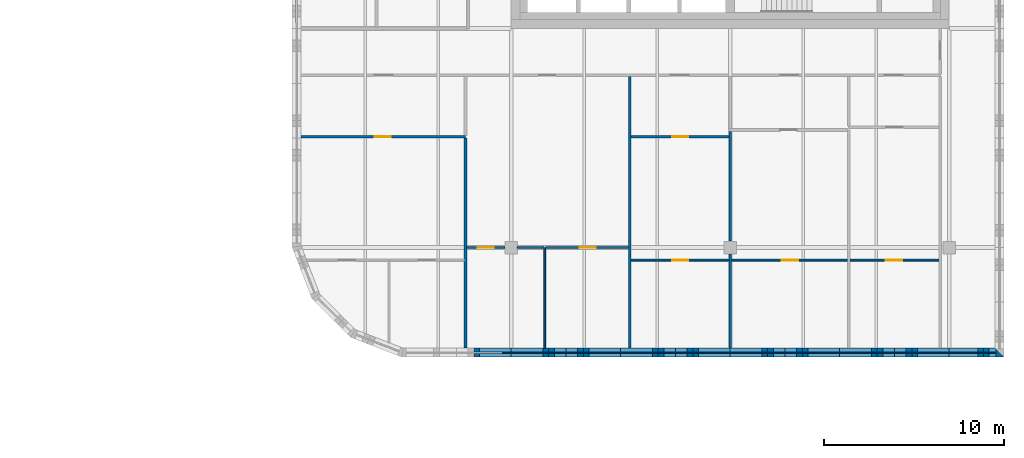
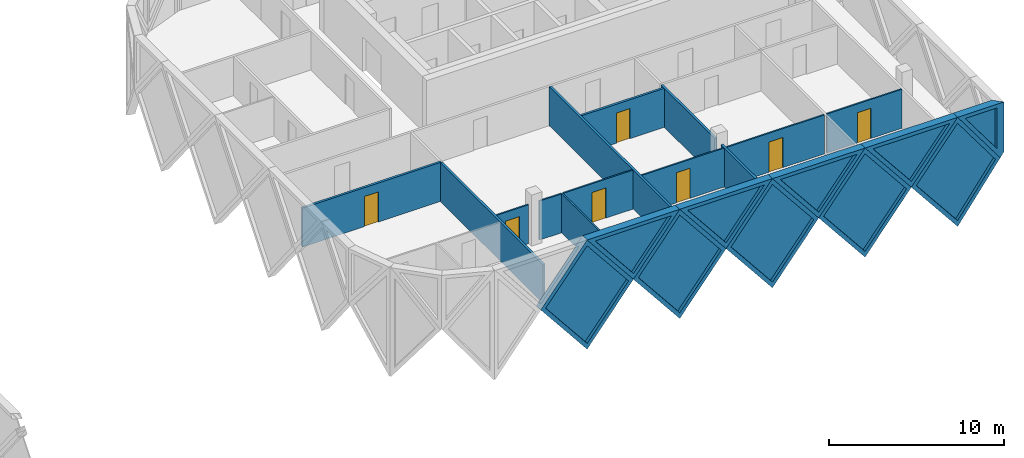
# One storey, part 16 of 24: 23 walls, 10 plates, 7 doors, 17 openings.
"""IFC4 building model written with IfcOpenShell, lengths in metres."""

from ifc_helpers import new_model, si_unit, direction, frame, frame_2d, origin, place, context, subcontext, project, spatial, polyline, rectangle, outline, extrude, faceted_brep, source, transform, mapped, material, layer, layer_set, type_object, element, fill, save


model = new_model("IFC4")

# Units and contexts
model_context = context("Model", 3, precision=1e-05, world=origin(), true_north=direction((0.0, 1.0)))
body_context = subcontext(model_context, "Body", "Model", "MODEL_VIEW")
ifc_project = project(units=[si_unit("LENGTHUNIT", "METRE"), si_unit("AREAUNIT", "SQUARE_METRE"), si_unit("VOLUMEUNIT", "CUBIC_METRE"), si_unit("PLANEANGLEUNIT", "RADIAN"), si_unit("MASSUNIT", "GRAM", prefix="KILO")], contexts=[model_context])

# Site, building, storey
site_placement = place(None, origin())
site = spatial("IfcSite", under=ifc_project, at=site_placement, CompositionType="ELEMENT")
building_placement = place(site_placement, origin())
building = spatial("IfcBuilding", under=site, at=building_placement, Name="Tessera Gate Towers", CompositionType="ELEMENT")
storey_placement = place(building_placement, frame((0.0, 0.0, 102.800048828125)))
storey = spatial("IfcBuildingStorey", under=building, at=storey_placement, Name="L25", CompositionType="ELEMENT", Elevation=102.800048828125)

# Wall
ifc_material_1 = material(Name="Gypsum board on steel studs", Category="steel")
ifc_layer_1 = layer(ifc_material_1, 0.10009765625)
ifc_layer_set_1 = layer_set([ifc_layer_1], Name="PARTITION 100")
wall_type_1 = type_object("IfcWallType", Name="PARTITION 100", PredefinedType="PARTITIONING", material=ifc_layer_set_1)
wall_1_placement = place(storey_placement, frame((99.469970703125, 18.800048828125, 0.0), z_axis=(0.0, 0.0, 1.0), x_axis=(0.0, 1.0, 0.0)))
element("IfcWall", 1, at=wall_1_placement, inside=storey, type_object=wall_type_1, Name="T2-L25-PW-002", PredefinedType="PARTITIONING", context=body_context, shape_type="SweptSolid", body=[
    extrude(rectangle(XDim=5.599853515625, YDim=0.10009765625, at=frame_2d((2.7998046875, 0.0))), origin(), (0.0, 0.0, 1.0), 2.71484375),
])

# Wall, opening, door
wall_2_placement = place(storey_placement, frame((109.72412109375, 23.699951171875, 0.0), z_axis=(0.0, 0.0, 1.0), x_axis=(-1.0, 0.0, 0.0)))
wall_2 = element("IfcWall", 2, at=wall_2_placement, inside=storey, type_object=wall_type_1, Name="T2-L25-PW-010", PredefinedType="PARTITIONING", context=body_context, shape_type="SweptSolid", body=[
    extrude(rectangle(XDim=5.4482421875, YDim=0.10009765625, at=frame_2d((2.72412109375, 0.0))), origin(), (0.0, 0.0, 1.0), 2.71484375),
])
shared_shape_1 = source(origin(), body_context, "Body", "SweptSolid", [
    extrude(rectangle(XDim=0.89990234375, YDim=2.10009765625, at=frame_2d((0.449951171875, 1.050048828125))), frame((0.0, 0.06005859375, 0.0), z_axis=(0.0, -1.0, 0.0), x_axis=(1.0, 0.0, 0.0)), (0.0, 0.0, 1.0), 0.1201171875),
])
opening_1_placement = place(wall_2_placement, frame((2.248046875, 0.0, 0.0)))
opening_1 = element("IfcOpeningElement", 3, at=opening_1_placement, cuts=wall_2, Name="Opening D190-B10-10", PredefinedType="OPENING", context=body_context, shape_type="MappedRepresentation", body=[
    mapped(shared_shape_1, transform((0.0, 0.0, 0.0), scale=1.0)),
])
ifc_material_2 = material(Name="Timber door leaf in steel frame", Category="steel")
door_type = type_object("IfcDoorType", Name="INTERNAL DOOR 900 NOT RATED", OperationType="NOTDEFINED", PredefinedType="DOOR", material=ifc_material_2)
shared_shape_2 = source(origin(), body_context, "Body", "SweptSolid", [
    extrude(rectangle(XDim=0.89990234375, YDim=2.10009765625, at=frame_2d((0.449951171875, 1.050048828125))), frame((0.0, 0.02490234375, 0.0), z_axis=(0.0, -1.0, 0.0), x_axis=(1.0, 0.0, 0.0)), (0.0, 0.0, 1.0), 0.050048828125),
])
door_1_placement = place(opening_1_placement, origin())
door_1 = element("IfcDoor", 4, at=door_1_placement, inside=storey, type_object=door_type, Name="T2-L25-PD-012", OperationType="SINGLE_SWING_RIGHT", OverallHeight=2.10009765625, OverallWidth=0.89990234375, PredefinedType="DOOR", context=body_context, shape_type="MappedRepresentation", body=[
    mapped(shared_shape_2, transform((0.0, 0.0, 0.0), scale=1.0)),
])
fill(opening_1, door_1)

wall_3_placement = place(storey_placement, frame((116.323974609375, 23.699951171875, 0.0), z_axis=(0.0, 0.0, 1.0), x_axis=(-1.0, 0.0, 0.0)))
wall_3 = element("IfcWall", 5, at=wall_3_placement, inside=storey, type_object=wall_type_1, Name="T2-L25-PW-011", PredefinedType="PARTITIONING", context=body_context, shape_type="SweptSolid", body=[
    extrude(rectangle(XDim=6.447998046875, YDim=0.10009765625, at=frame_2d((3.22412109375, 0.0))), origin(), (0.0, 0.0, 1.0), 2.71484375),
])
opening_2_placement = place(wall_3_placement, frame((2.748046875, 0.0, 0.0)))
opening_2 = element("IfcOpeningElement", 6, at=opening_2_placement, cuts=wall_3, Name="Opening D190-B10-11", PredefinedType="OPENING", context=body_context, shape_type="MappedRepresentation", body=[
    mapped(shared_shape_1, transform((0.0, 0.0, 0.0), scale=1.0)),
])
door_2_placement = place(opening_2_placement, origin())
door_2 = element("IfcDoor", 7, at=door_2_placement, inside=storey, type_object=door_type, Name="T2-L25-PD-015", OperationType="SINGLE_SWING_RIGHT", OverallHeight=2.10009765625, OverallWidth=0.89990234375, PredefinedType="DOOR", context=body_context, shape_type="MappedRepresentation", body=[
    mapped(shared_shape_2, transform((0.0, 0.0, 0.0), scale=1.0)),
])
fill(opening_2, door_2)

wall_4_placement = place(storey_placement, frame((121.424072265625, 23.699951171875, 0.0), z_axis=(0.0, 0.0, 1.0), x_axis=(-1.0, 0.0, 0.0)))
wall_4 = element("IfcWall", 8, at=wall_4_placement, inside=storey, type_object=wall_type_1, Name="T2-L25-PW-012", PredefinedType="PARTITIONING", context=body_context, shape_type="SweptSolid", body=[
    extrude(rectangle(XDim=4.947998046875, YDim=0.10009765625, at=frame_2d((2.47412109375, 0.0))), origin(), (0.0, 0.0, 1.0), 2.71484375),
])
opening_3_placement = place(wall_4_placement, frame((2.048095703125, 0.0, 0.0)))
opening_3 = element("IfcOpeningElement", 9, at=opening_3_placement, cuts=wall_4, Name="Opening D190-B10-07", PredefinedType="OPENING", context=body_context, shape_type="MappedRepresentation", body=[
    mapped(shared_shape_1, transform((0.0, 0.0, 0.0), scale=1.0)),
])
door_3_placement = place(opening_3_placement, origin())
door_3 = element("IfcDoor", 10, at=door_3_placement, inside=storey, type_object=door_type, Name="T2-L25-PD-008", OperationType="SINGLE_SWING_RIGHT", OverallHeight=2.10009765625, OverallWidth=0.89990234375, PredefinedType="DOOR", context=body_context, shape_type="MappedRepresentation", body=[
    mapped(shared_shape_2, transform((0.0, 0.0, 0.0), scale=1.0)),
])
fill(opening_3, door_3)

wall_5_placement = place(storey_placement, frame((97.2490234375, 24.39990234375, 0.0), z_axis=(0.0, 0.0, 1.0), x_axis=(-1.0, 0.0, 0.0)))
wall_5 = element("IfcWall", 11, at=wall_5_placement, inside=storey, type_object=wall_type_1, Name="T2-L25-PW-013", PredefinedType="PARTITIONING", context=body_context, shape_type="SweptSolid", body=[
    extrude(rectangle(XDim=2.123046875, YDim=0.10009765625, at=frame_2d((1.0615234375, 0.0))), origin(), (0.0, 0.0, 1.0), 2.71484375),
])
opening_4_placement = place(wall_5_placement, frame((0.623046875, 0.0, 0.0)))
opening_4 = element("IfcOpeningElement", 12, at=opening_4_placement, cuts=wall_5, Name="Opening D190-B10-01", PredefinedType="OPENING", context=body_context, shape_type="MappedRepresentation", body=[
    mapped(shared_shape_1, transform((0.0, 0.0, 0.0), scale=1.0)),
])
door_4_placement = place(opening_4_placement, origin())
door_4 = element("IfcDoor", 13, at=door_4_placement, inside=storey, type_object=door_type, Name="T2-L25-PD-001", OperationType="SINGLE_SWING_RIGHT", OverallHeight=2.10009765625, OverallWidth=0.89990234375, PredefinedType="DOOR", context=body_context, shape_type="MappedRepresentation", body=[
    mapped(shared_shape_2, transform((0.0, 0.0, 0.0), scale=1.0)),
])
fill(opening_4, door_4)

# Wall
wall_6_placement = place(storey_placement, frame((97.950927734375, 24.39990234375, 0.0), z_axis=(0.0, 0.0, 1.0), x_axis=(1.0, 0.0, 0.0)))
element("IfcWall", 14, at=wall_6_placement, inside=storey, type_object=wall_type_1, Name="T2-L25-PW-014", PredefinedType="PARTITIONING", context=body_context, shape_type="SweptSolid", body=[
    extrude(rectangle(XDim=1.46826171875, YDim=0.10009765625, at=frame_2d((0.734130859375, 0.0))), origin(), (0.0, 0.0, 1.0), 2.71484375),
])

# Wall, opening, door
wall_7_placement = place(storey_placement, frame((104.1240234375, 24.39990234375, 0.0), z_axis=(0.0, 0.0, 1.0), x_axis=(-1.0, 0.0, 0.0)))
wall_7 = element("IfcWall", 15, at=wall_7_placement, inside=storey, type_object=wall_type_1, Name="T2-L25-PW-015", PredefinedType="PARTITIONING", context=body_context, shape_type="SweptSolid", body=[
    extrude(rectangle(XDim=4.602783203125, YDim=0.10009765625, at=frame_2d((2.30126953125, 0.0))), origin(), (0.0, 0.0, 1.0), 2.71484375),
])
opening_5_placement = place(wall_7_placement, frame((1.802734375, 0.0, 0.0)))
opening_5 = element("IfcOpeningElement", 16, at=opening_5_placement, cuts=wall_7, Name="Opening D190-B10-06", PredefinedType="OPENING", context=body_context, shape_type="MappedRepresentation", body=[
    mapped(shared_shape_1, transform((0.0, 0.0, 0.0), scale=1.0)),
])
door_5_placement = place(opening_5_placement, origin())
door_5 = element("IfcDoor", 17, at=door_5_placement, inside=storey, type_object=door_type, Name="T2-L25-PD-006", OperationType="SINGLE_SWING_RIGHT", OverallHeight=2.10009765625, OverallWidth=0.89990234375, PredefinedType="DOOR", context=body_context, shape_type="MappedRepresentation", body=[
    mapped(shared_shape_2, transform((0.0, 0.0, 0.0), scale=1.0)),
])
fill(opening_5, door_5)

# Walls
ifc_material_3 = material(Name="Gypsum board on steel studs, mineral wool", Category="steel")
ifc_layer_2 = layer(ifc_material_3, 0.14990234375)
ifc_layer_set_2 = layer_set([ifc_layer_2], Name="TENANCY WALL 150")
wall_type_2 = type_object("IfcWallType", Name="TENANCY WALL 150", PredefinedType="PARTITIONING", material=ifc_layer_set_2)
wall_8_placement = place(storey_placement, frame((95.050048828125, 18.800048828125, 0.0), z_axis=(0.0, 0.0, 1.0), x_axis=(0.0, 1.0, 0.0)))
element("IfcWall", 18, at=wall_8_placement, inside=storey, type_object=wall_type_2, Name="T2-L25-PW-001", PredefinedType="PARTITIONING", context=body_context, shape_type="SweptSolid", body=[
    extrude(rectangle(XDim=11.698974609375, YDim=0.14990234375, at=frame_2d((5.849609375, 0.0))), origin(), (0.0, 0.0, 1.0), 2.71484375),
])
wall_9_placement = place(storey_placement, frame((104.199951171875, 18.800048828125, 0.0), z_axis=(0.0, 0.0, 1.0), x_axis=(0.0, 1.0, 0.0)))
element("IfcWall", 19, at=wall_9_placement, inside=storey, type_object=wall_type_2, Name="T2-L25-PW-003", PredefinedType="PARTITIONING", context=body_context, shape_type="SweptSolid", body=[
    extrude(rectangle(XDim=15.1240234375, YDim=0.14990234375, at=frame_2d((7.56201171875, 0.0))), origin(), (0.0, 0.0, 1.0), 2.71484375),
])
wall_10_placement = place(storey_placement, frame((109.800048828125, 18.800048828125, 0.0), z_axis=(0.0, 0.0, 1.0), x_axis=(0.0, 1.0, 0.0)))
element("IfcWall", 20, at=wall_10_placement, inside=storey, type_object=wall_type_2, Name="T2-L25-PW-004", PredefinedType="PARTITIONING", context=body_context, shape_type="SweptSolid", body=[
    extrude(rectangle(XDim=5.2490234375, YDim=0.14990234375, at=frame_2d((2.62451171875, 0.0))), origin(), (0.0, 0.0, 1.0), 2.71484375),
])
wall_11_placement = place(storey_placement, frame((109.800048828125, 24.7509765625, 0.0), z_axis=(0.0, 0.0, 1.0), x_axis=(0.0, 1.0, 0.0)))
element("IfcWall", 21, at=wall_11_placement, inside=storey, type_object=wall_type_2, Name="T2-L25-PW-016", PredefinedType="PARTITIONING", context=body_context, shape_type="SweptSolid", body=[
    extrude(rectangle(XDim=6.123046875, YDim=0.14990234375, at=frame_2d((3.0615234375, 0.0))), origin(), (0.0, 0.0, 1.0), 2.71484375),
])

# Wall, opening, door
wall_12_placement = place(storey_placement, frame((95.050048828125, 30.574951171875, 0.0), z_axis=(0.0, 0.0, 1.0), x_axis=(-1.0, 0.0, 0.0)))
wall_12 = element("IfcWall", 22, at=wall_12_placement, inside=storey, type_object=wall_type_2, Name="T2-L25-PW-017", PredefinedType="PARTITIONING", context=body_context, shape_type="SweptSolid", body=[
    extrude(rectangle(XDim=9.150146484375, YDim=0.14990234375, at=frame_2d((4.5751953125, 0.0))), origin(), (0.0, 0.0, 1.0), 2.71484375),
])
shared_shape_3 = source(origin(), body_context, "Body", "SweptSolid", [
    extrude(rectangle(XDim=0.89990234375, YDim=2.10009765625, at=frame_2d((0.449951171875, 1.050048828125))), frame((0.0, 0.0849609375, 0.0), z_axis=(0.0, -1.0, 0.0), x_axis=(1.0, 0.0, 0.0)), (0.0, 0.0, 1.0), 0.169921875),
])
opening_6_placement = place(wall_12_placement, frame((4.14990234375, 0.0, 0.0)))
opening_6 = element("IfcOpeningElement", 23, at=opening_6_placement, cuts=wall_12, Name="Opening D190-B10-13", PredefinedType="OPENING", context=body_context, shape_type="MappedRepresentation", body=[
    mapped(shared_shape_3, transform((0.0, 0.0, 0.0), scale=1.0)),
])
door_6_placement = place(opening_6_placement, origin())
door_6 = element("IfcDoor", 24, at=door_6_placement, inside=storey, type_object=door_type, Name="T2-L25-PD-019", OperationType="SINGLE_SWING_RIGHT", OverallHeight=2.10009765625, OverallWidth=0.89990234375, PredefinedType="DOOR", context=body_context, shape_type="MappedRepresentation", body=[
    mapped(shared_shape_2, transform((0.0, 0.0, 0.0), scale=1.0)),
])
fill(opening_6, door_6)

wall_13_placement = place(storey_placement, frame((109.72412109375, 30.574951171875, 0.0), z_axis=(0.0, 0.0, 1.0), x_axis=(-1.0, 0.0, 0.0)))
wall_13 = element("IfcWall", 25, at=wall_13_placement, inside=storey, type_object=wall_type_2, Name="T2-L25-PW-018", PredefinedType="PARTITIONING", context=body_context, shape_type="SweptSolid", body=[
    extrude(rectangle(XDim=5.4482421875, YDim=0.14990234375, at=frame_2d((2.72412109375, 0.0))), origin(), (0.0, 0.0, 1.0), 2.71484375),
])
opening_7_placement = place(wall_13_placement, frame((2.248046875, 0.0, 0.0)))
opening_7 = element("IfcOpeningElement", 26, at=opening_7_placement, cuts=wall_13, Name="Opening D190-B10-09", PredefinedType="OPENING", context=body_context, shape_type="MappedRepresentation", body=[
    mapped(shared_shape_3, transform((0.0, 0.0, 0.0), scale=1.0)),
])
door_7_placement = place(opening_7_placement, origin())
door_7 = element("IfcDoor", 27, at=door_7_placement, inside=storey, type_object=door_type, Name="T2-L25-PD-011", OperationType="SINGLE_SWING_RIGHT", OverallHeight=2.10009765625, OverallWidth=0.89990234375, PredefinedType="DOOR", context=body_context, shape_type="MappedRepresentation", body=[
    mapped(shared_shape_2, transform((0.0, 0.0, 0.0), scale=1.0)),
])
fill(opening_7, door_7)

# Wall, opening, plate
ifc_material_4 = material(Name="Precast concrete C60/75 white", Category="concrete")
ifc_layer_3 = layer(ifc_material_4, 0.5)
ifc_layer_set_3 = layer_set([ifc_layer_3], Name="TS1 tessera")
wall_type_3 = type_object("IfcWallType", Name="TS1 tessera", PredefinedType="SOLIDWALL", material=ifc_layer_set_3)
shared_shape_4 = source(origin(), body_context, "Body", "Brep", [
    faceted_brep([(3.050048828125, -0.25, 0.0), (6.099853515625, -0.25, 3.7998046875), (6.099853515625, -0.25, 3.80029296875), (3.050048828125, -0.25, 7.60009765625), (0.0, -0.25, 3.800048828125), (0.0, 0.25, 3.800048828125), (3.050048828125, 0.25, 7.60009765625), (6.099853515625, 0.25, 3.80029296875), (6.099853515625, 0.25, 3.7998046875), (3.050048828125, 0.25, 0.0)], [[[0, 1, 2, 3, 4]], [[5, 6, 7, 8, 9]], [[9, 8, 1, 0]], [[7, 6, 3, 2]], [[6, 5, 4, 3]], [[5, 9, 0, 4]], [[1, 8, 7, 2]]]),
])
wall_14_placement = place(storey_placement, frame((94.550048828125, 18.550048828125, -3.800048828125), z_axis=(0.0, 0.0, 1.0), x_axis=(1.0, 0.0, 0.0)))
wall_14 = element("IfcWall", 28, at=wall_14_placement, inside=storey, type_object=wall_type_3, Name="Precast tessera T2 TS1-0306", PredefinedType="SOLIDWALL", context=body_context, shape_type="MappedRepresentation", body=[
    mapped(shared_shape_4, transform((0.0, 0.0, 0.0), scale=1.0)),
])
shared_shape_5 = source(origin(), body_context, "Body", "SweptSolid", [
    extrude(outline(polyline([(3.050048828125, 0.3994140625), (5.779541015625, 3.800048828125), (3.050048828125, 7.20068359375), (0.320556640625, 3.800048828125), (3.050048828125, 0.3994140625)])), frame((0.0, 0.260009765625, 0.0), z_axis=(0.0, -1.0, 0.0), x_axis=(1.0, 0.0, 0.0)), (0.0, 0.0, 1.0), 0.52001953125),
])
opening_8_placement = place(wall_14_placement, origin())
opening_8 = element("IfcOpeningElement", 29, at=opening_8_placement, cuts=wall_14, Name="Opening T2-PL2-0576", PredefinedType="OPENING", context=body_context, shape_type="MappedRepresentation", body=[
    mapped(shared_shape_5, transform((0.0, 0.0, 0.0), scale=1.0)),
])
ifc_material_5 = material(Name="Low-e laminated glass", Category="glass")
ifc_layer_4 = layer(ifc_material_5, 0.06005859375)
ifc_layer_set_4 = layer_set([ifc_layer_4], Name="PL2 rhombic pane")
plate_type_1 = type_object("IfcPlateType", Name="PL2 rhombic pane", PredefinedType="SHEET", material=ifc_layer_set_4)
shared_shape_6 = source(origin(), body_context, "Body", "SweptSolid", [
    extrude(outline(polyline([(3.050048828125, 0.3994140625), (5.779541015625, 3.800048828125), (3.050048828125, 7.20068359375), (0.320556640625, 3.800048828125), (3.050048828125, 0.3994140625)])), frame((0.0, 0.030029296875, 0.0), z_axis=(0.0, -1.0, 0.0), x_axis=(1.0, 0.0, 0.0)), (0.0, 0.0, 1.0), 0.06005859375),
])
plate_1_placement = place(opening_8_placement, origin())
plate_1 = element("IfcPlate", 30, at=plate_1_placement, inside=storey, type_object=plate_type_1, Name="Glass pane T2 PL2-0576", PredefinedType="SHEET", context=body_context, shape_type="MappedRepresentation", body=[
    mapped(shared_shape_6, transform((0.0, 0.0, 0.0), scale=1.0)),
])
fill(opening_8, plate_1)

wall_15_placement = place(storey_placement, frame((112.85009765625, 18.550048828125, -3.800048828125), z_axis=(0.0, 0.0, 1.0), x_axis=(1.0, 0.0, 0.0)))
wall_15 = element("IfcWall", 31, at=wall_15_placement, inside=storey, type_object=wall_type_3, Name="Precast tessera T2 TS1-0309", PredefinedType="SOLIDWALL", context=body_context, shape_type="MappedRepresentation", body=[
    mapped(shared_shape_4, transform((0.0, 0.0, 0.0), scale=1.0)),
])
opening_9_placement = place(wall_15_placement, origin())
opening_9 = element("IfcOpeningElement", 32, at=opening_9_placement, cuts=wall_15, Name="Opening T2-PL2-0579", PredefinedType="OPENING", context=body_context, shape_type="MappedRepresentation", body=[
    mapped(shared_shape_5, transform((0.0, 0.0, 0.0), scale=1.0)),
])
plate_2_placement = place(opening_9_placement, origin())
plate_2 = element("IfcPlate", 33, at=plate_2_placement, inside=storey, type_object=plate_type_1, Name="Glass pane T2 PL2-0579", PredefinedType="SHEET", context=body_context, shape_type="MappedRepresentation", body=[
    mapped(shared_shape_6, transform((0.0, 0.0, 0.0), scale=1.0)),
])
fill(opening_9, plate_2)

shared_shape_7 = source(origin(), body_context, "Body", "SweptSolid", [
    extrude(outline(polyline([(3.050048828125, 0.0), (6.10009765625, 3.800048828125), (3.050048828125, 7.60009765625), (0.0, 3.800048828125), (3.050048828125, 0.0)])), frame((0.0, 0.25, 0.0), z_axis=(0.0, -1.0, 0.0), x_axis=(1.0, 0.0, 0.0)), (0.0, 0.0, 1.0), 0.5),
])
wall_16_placement = place(storey_placement, frame((100.64990234375, 18.550048828125, -3.800048828125), z_axis=(0.0, 0.0, 1.0), x_axis=(1.0, 0.0, 0.0)))
wall_16 = element("IfcWall", 34, at=wall_16_placement, inside=storey, type_object=wall_type_3, Name="Precast tessera T2 TS1-0307", PredefinedType="SOLIDWALL", context=body_context, shape_type="MappedRepresentation", body=[
    mapped(shared_shape_7, transform((0.0, 0.0, 0.0), scale=1.0)),
])
opening_10_placement = place(wall_16_placement, origin())
opening_10 = element("IfcOpeningElement", 35, at=opening_10_placement, cuts=wall_16, Name="Opening T2-PL2-0577", PredefinedType="OPENING", context=body_context, shape_type="MappedRepresentation", body=[
    mapped(shared_shape_5, transform((0.0, 0.0, 0.0), scale=1.0)),
])
plate_3_placement = place(opening_10_placement, origin())
plate_3 = element("IfcPlate", 36, at=plate_3_placement, inside=storey, type_object=plate_type_1, Name="Glass pane T2 PL2-0577", PredefinedType="SHEET", context=body_context, shape_type="MappedRepresentation", body=[
    mapped(shared_shape_6, transform((0.0, 0.0, 0.0), scale=1.0)),
])
fill(opening_10, plate_3)

wall_17_placement = place(storey_placement, frame((106.75, 18.550048828125, -3.800048828125), z_axis=(0.0, 0.0, 1.0), x_axis=(1.0, 0.0, 0.0)))
wall_17 = element("IfcWall", 37, at=wall_17_placement, inside=storey, type_object=wall_type_3, Name="Precast tessera T2 TS1-0308", PredefinedType="SOLIDWALL", context=body_context, shape_type="MappedRepresentation", body=[
    mapped(shared_shape_7, transform((0.0, 0.0, 0.0), scale=1.0)),
])
opening_11_placement = place(wall_17_placement, origin())
opening_11 = element("IfcOpeningElement", 38, at=opening_11_placement, cuts=wall_17, Name="Opening T2-PL2-0578", PredefinedType="OPENING", context=body_context, shape_type="MappedRepresentation", body=[
    mapped(shared_shape_5, transform((0.0, 0.0, 0.0), scale=1.0)),
])
plate_4_placement = place(opening_11_placement, origin())
plate_4 = element("IfcPlate", 39, at=plate_4_placement, inside=storey, type_object=plate_type_1, Name="Glass pane T2 PL2-0578", PredefinedType="SHEET", context=body_context, shape_type="MappedRepresentation", body=[
    mapped(shared_shape_6, transform((0.0, 0.0, 0.0), scale=1.0)),
])
fill(opening_11, plate_4)

ifc_material_6 = material(Name="Precast concrete C60/75 white", Category="concrete")
ifc_layer_5 = layer(ifc_material_6, 0.5)
ifc_layer_set_5 = layer_set([ifc_layer_5], Name="TS2 half tessera")
wall_type_4 = type_object("IfcWallType", Name="TS2 half tessera", PredefinedType="SOLIDWALL", material=ifc_layer_set_5)
shared_shape_8 = source(origin(), body_context, "Body", "Brep", [
    faceted_brep([(3.050048828125, -0.25, 0.0), (6.099853515625, -0.25, 3.7998046875), (6.099853515625, -0.25, 3.800048828125), (0.0, -0.25, 3.800048828125), (0.0, 0.25, 3.800048828125), (6.099853515625, 0.25, 3.800048828125), (6.099853515625, 0.25, 3.7998046875), (3.050048828125, 0.25, 0.0)], [[[0, 1, 2, 3]], [[4, 5, 6, 7]], [[7, 6, 1, 0]], [[5, 4, 3, 2]], [[4, 7, 0, 3]], [[1, 6, 5, 2]]]),
])
wall_18_placement = place(storey_placement, frame((97.60009765625, 18.550048828125, 0.0), z_axis=(0.0, 0.0, 1.0), x_axis=(1.0, 0.0, 0.0)))
wall_18 = element("IfcWall", 40, at=wall_18_placement, inside=storey, type_object=wall_type_4, Name="Precast half tessera T2 TS2-0129", PredefinedType="SOLIDWALL", context=body_context, shape_type="MappedRepresentation", body=[
    mapped(shared_shape_8, transform((0.0, 0.0, 0.0), scale=1.0)),
])
shared_shape_9 = source(origin(), body_context, "Body", "SweptSolid", [
    extrude(outline(polyline([(3.050048828125, 0.3994140625), (5.578857421875, 3.550048828125), (0.521240234375, 3.550048828125), (3.050048828125, 0.3994140625)])), frame((0.0, 0.260009765625, 0.0), z_axis=(0.0, -1.0, 0.0), x_axis=(1.0, 0.0, 0.0)), (0.0, 0.0, 1.0), 0.52001953125),
])
opening_12_placement = place(wall_18_placement, origin())
opening_12 = element("IfcOpeningElement", 41, at=opening_12_placement, cuts=wall_18, Name="Opening T2-PL1-0233", PredefinedType="OPENING", context=body_context, shape_type="MappedRepresentation", body=[
    mapped(shared_shape_9, transform((0.0, 0.0, 0.0), scale=1.0)),
])
ifc_material_7 = material(Name="Low-e laminated glass", Category="glass")
ifc_layer_6 = layer(ifc_material_7, 0.06005859375)
ifc_layer_set_6 = layer_set([ifc_layer_6], Name="PL1 triangular pane")
plate_type_2 = type_object("IfcPlateType", Name="PL1 triangular pane", PredefinedType="SHEET", material=ifc_layer_set_6)
shared_shape_10 = source(origin(), body_context, "Body", "SweptSolid", [
    extrude(outline(polyline([(3.050048828125, 0.3994140625), (5.578857421875, 3.550048828125), (0.521240234375, 3.550048828125), (3.050048828125, 0.3994140625)])), frame((0.0, 0.030029296875, 0.0), z_axis=(0.0, -1.0, 0.0), x_axis=(1.0, 0.0, 0.0)), (0.0, 0.0, 1.0), 0.06005859375),
])
plate_5_placement = place(opening_12_placement, origin())
plate_5 = element("IfcPlate", 42, at=plate_5_placement, inside=storey, type_object=plate_type_2, Name="Glass pane T2 PL1-0233", PredefinedType="SHEET", context=body_context, shape_type="MappedRepresentation", body=[
    mapped(shared_shape_10, transform((0.0, 0.0, 0.0), scale=1.0)),
])
fill(opening_12, plate_5)

wall_19_placement = place(storey_placement, frame((109.800048828125, 18.550048828125, 0.0), z_axis=(0.0, 0.0, 1.0), x_axis=(1.0, 0.0, 0.0)))
wall_19 = element("IfcWall", 43, at=wall_19_placement, inside=storey, type_object=wall_type_4, Name="Precast half tessera T2 TS2-0131", PredefinedType="SOLIDWALL", context=body_context, shape_type="MappedRepresentation", body=[
    mapped(shared_shape_8, transform((0.0, 0.0, 0.0), scale=1.0)),
])
opening_13_placement = place(wall_19_placement, origin())
opening_13 = element("IfcOpeningElement", 44, at=opening_13_placement, cuts=wall_19, Name="Opening T2-PL1-0235", PredefinedType="OPENING", context=body_context, shape_type="MappedRepresentation", body=[
    mapped(shared_shape_9, transform((0.0, 0.0, 0.0), scale=1.0)),
])
plate_6_placement = place(opening_13_placement, origin())
plate_6 = element("IfcPlate", 45, at=plate_6_placement, inside=storey, type_object=plate_type_2, Name="Glass pane T2 PL1-0235", PredefinedType="SHEET", context=body_context, shape_type="MappedRepresentation", body=[
    mapped(shared_shape_10, transform((0.0, 0.0, 0.0), scale=1.0)),
])
fill(opening_13, plate_6)

shared_shape_11 = source(origin(), body_context, "Body", "SweptSolid", [
    extrude(outline(polyline([(3.050048828125, 0.0), (6.10009765625, 3.800048828125), (0.0, 3.800048828125), (3.050048828125, 0.0)])), frame((0.0, 0.25, 0.0), z_axis=(0.0, -1.0, 0.0), x_axis=(1.0, 0.0, 0.0)), (0.0, 0.0, 1.0), 0.5),
])
wall_20_placement = place(storey_placement, frame((103.699951171875, 18.550048828125, 0.0), z_axis=(0.0, 0.0, 1.0), x_axis=(1.0, 0.0, 0.0)))
wall_20 = element("IfcWall", 46, at=wall_20_placement, inside=storey, type_object=wall_type_4, Name="Precast half tessera T2 TS2-0130", PredefinedType="SOLIDWALL", context=body_context, shape_type="MappedRepresentation", body=[
    mapped(shared_shape_11, transform((0.0, 0.0, 0.0), scale=1.0)),
])
opening_14_placement = place(wall_20_placement, origin())
opening_14 = element("IfcOpeningElement", 47, at=opening_14_placement, cuts=wall_20, Name="Opening T2-PL1-0234", PredefinedType="OPENING", context=body_context, shape_type="MappedRepresentation", body=[
    mapped(shared_shape_9, transform((0.0, 0.0, 0.0), scale=1.0)),
])
plate_7_placement = place(opening_14_placement, origin())
plate_7 = element("IfcPlate", 48, at=plate_7_placement, inside=storey, type_object=plate_type_2, Name="Glass pane T2 PL1-0234", PredefinedType="SHEET", context=body_context, shape_type="MappedRepresentation", body=[
    mapped(shared_shape_10, transform((0.0, 0.0, 0.0), scale=1.0)),
])
fill(opening_14, plate_7)

wall_21_placement = place(storey_placement, frame((115.89990234375, 18.550048828125, 0.0), z_axis=(0.0, 0.0, 1.0), x_axis=(1.0, 0.0, 0.0)))
wall_21 = element("IfcWall", 49, at=wall_21_placement, inside=storey, type_object=wall_type_4, Name="Precast half tessera T2 TS2-0132", PredefinedType="SOLIDWALL", context=body_context, shape_type="MappedRepresentation", body=[
    mapped(shared_shape_11, transform((0.0, 0.0, 0.0), scale=1.0)),
])
opening_15_placement = place(wall_21_placement, origin())
opening_15 = element("IfcOpeningElement", 50, at=opening_15_placement, cuts=wall_21, Name="Opening T2-PL1-0236", PredefinedType="OPENING", context=body_context, shape_type="MappedRepresentation", body=[
    mapped(shared_shape_9, transform((0.0, 0.0, 0.0), scale=1.0)),
])
plate_8_placement = place(opening_15_placement, origin())
plate_8 = element("IfcPlate", 51, at=plate_8_placement, inside=storey, type_object=plate_type_2, Name="Glass pane T2 PL1-0236", PredefinedType="SHEET", context=body_context, shape_type="MappedRepresentation", body=[
    mapped(shared_shape_10, transform((0.0, 0.0, 0.0), scale=1.0)),
])
fill(opening_15, plate_8)

shared_shape_12 = source(origin(), body_context, "Body", "Brep", [
    faceted_brep([(3.050048828125, -0.25, 0.0), (5.85009765625, -0.25, 3.800048828125), (3.050048828125, -0.25, 7.60009765625), (0.0, -0.25, 3.800048828125), (0.0, 0.25, 3.800048828125), (3.050048828125, 0.25, 7.60009765625), (5.60009765625, 0.25, 4.139404296875), (5.60009765625, 0.25, 3.460693359375), (3.050048828125, 0.25, 0.0), (5.85009765625, 0.0, 3.800048828125)], [[[0, 1, 2, 3]], [[4, 5, 6, 7, 8]], [[8, 7, 9, 1, 0]], [[6, 5, 2, 1, 9]], [[5, 4, 3, 2]], [[4, 8, 0, 3]], [[9, 7, 6]]]),
])
wall_22_placement = place(storey_placement, frame((118.949951171875, 18.550048828125, -3.800048828125), z_axis=(0.0, 0.0, 1.0), x_axis=(1.0, 0.0, 0.0)))
wall_22 = element("IfcWall", 52, at=wall_22_placement, inside=storey, type_object=wall_type_3, Name="Precast tessera T2 TS1-0310", PredefinedType="SOLIDWALL", context=body_context, shape_type="MappedRepresentation", body=[
    mapped(shared_shape_12, transform((0.0, 0.0, 0.0), scale=1.0)),
])
shared_shape_13 = source(origin(), body_context, "Body", "SweptSolid", [
    extrude(outline(polyline([(3.04150390625, 0.409912109375), (5.53955078125, 3.800048828125), (3.04150390625, 7.18994140625), (0.320556640625, 3.800048828125), (3.04150390625, 0.409912109375)])), frame((0.0, 0.260009765625, 0.0), z_axis=(0.0, -1.0, 0.0), x_axis=(1.0, 0.0, 0.0)), (0.0, 0.0, 1.0), 0.52001953125),
])
opening_16_placement = place(wall_22_placement, origin())
opening_16 = element("IfcOpeningElement", 53, at=opening_16_placement, cuts=wall_22, Name="Opening T2-PL2-0580", PredefinedType="OPENING", context=body_context, shape_type="MappedRepresentation", body=[
    mapped(shared_shape_13, transform((0.0, 0.0, 0.0), scale=1.0)),
])
shared_shape_14 = source(origin(), body_context, "Body", "SweptSolid", [
    extrude(outline(polyline([(3.04150390625, 0.409912109375), (5.53955078125, 3.800048828125), (3.04150390625, 7.18994140625), (0.320556640625, 3.800048828125), (3.04150390625, 0.409912109375)])), frame((0.0, 0.030029296875, 0.0), z_axis=(0.0, -1.0, 0.0), x_axis=(1.0, 0.0, 0.0)), (0.0, 0.0, 1.0), 0.06005859375),
])
plate_9_placement = place(opening_16_placement, origin())
plate_9 = element("IfcPlate", 54, at=plate_9_placement, inside=storey, type_object=plate_type_1, Name="Glass pane T2 PL2-0580", PredefinedType="SHEET", context=body_context, shape_type="MappedRepresentation", body=[
    mapped(shared_shape_14, transform((0.0, 0.0, 0.0), scale=1.0)),
])
fill(opening_16, plate_9)

ifc_material_8 = material(Name="Precast concrete C60/75 white", Category="concrete")
ifc_layer_7 = layer(ifc_material_8, 0.5)
ifc_layer_set_7 = layer_set([ifc_layer_7], Name="TS3 corner tessera")
wall_type_5 = type_object("IfcWallType", Name="TS3 corner tessera", PredefinedType="SOLIDWALL", material=ifc_layer_set_7)
shared_shape_15 = source(origin(), body_context, "Body", "Brep", [
    faceted_brep([(2.800048828125, -0.25, 0.0), (3.050048828125, -0.25, 0.339111328125), (3.050048828125, -0.25, 3.800048828125), (0.0, -0.25, 3.800048828125), (0.0, 0.25, 3.800048828125), (2.550048828125, 0.25, 3.800048828125), (2.550048828125, 0.25, 0.33935546875), (2.800048828125, 0.0, 0.0)], [[[0, 1, 2, 3]], [[4, 5, 6]], [[1, 0, 7]], [[5, 4, 3, 2]], [[4, 6, 7, 0, 3]], [[1, 7, 6, 5, 2]]]),
])
wall_23_placement = place(storey_placement, frame((122.0, 18.550048828125, 0.0), z_axis=(0.0, 0.0, 1.0), x_axis=(1.0, 0.0, 0.0)))
wall_23 = element("IfcWall", 55, at=wall_23_placement, inside=storey, type_object=wall_type_5, Name="Precast corner tessera T2 TS3-0381", PredefinedType="SOLIDWALL", context=body_context, shape_type="MappedRepresentation", body=[
    mapped(shared_shape_15, transform((0.0, 0.0, 0.0), scale=1.0)),
])
shared_shape_16 = source(origin(), body_context, "Body", "SweptSolid", [
    extrude(outline(polyline([(2.60009765625, 3.550048828125), (0.49462890625, 3.550048828125), (2.60009765625, 0.69287109375), (2.60009765625, 3.550048828125)])), frame((0.0, 0.260009765625, 0.0), z_axis=(0.0, -1.0, 0.0), x_axis=(1.0, 0.0, 0.0)), (0.0, 0.0, 1.0), 0.52001953125),
])
opening_17_placement = place(wall_23_placement, origin())
opening_17 = element("IfcOpeningElement", 56, at=opening_17_placement, cuts=wall_23, Name="Opening T2-PL1-0237", PredefinedType="OPENING", context=body_context, shape_type="MappedRepresentation", body=[
    mapped(shared_shape_16, transform((0.0, 0.0, 0.0), scale=1.0)),
])
shared_shape_17 = source(origin(), body_context, "Body", "SweptSolid", [
    extrude(outline(polyline([(2.60009765625, 3.550048828125), (0.49462890625, 3.550048828125), (2.60009765625, 0.69287109375), (2.60009765625, 3.550048828125)])), frame((0.0, 0.030029296875, 0.0), z_axis=(0.0, -1.0, 0.0), x_axis=(1.0, 0.0, 0.0)), (0.0, 0.0, 1.0), 0.06005859375),
])
plate_10_placement = place(opening_17_placement, origin())
plate_10 = element("IfcPlate", 57, at=plate_10_placement, inside=storey, type_object=plate_type_2, Name="Glass pane T2 PL1-0237", PredefinedType="SHEET", context=body_context, shape_type="MappedRepresentation", body=[
    mapped(shared_shape_17, transform((0.0, 0.0, 0.0), scale=1.0)),
])
fill(opening_17, plate_10)

save(model, "model.ifc")
